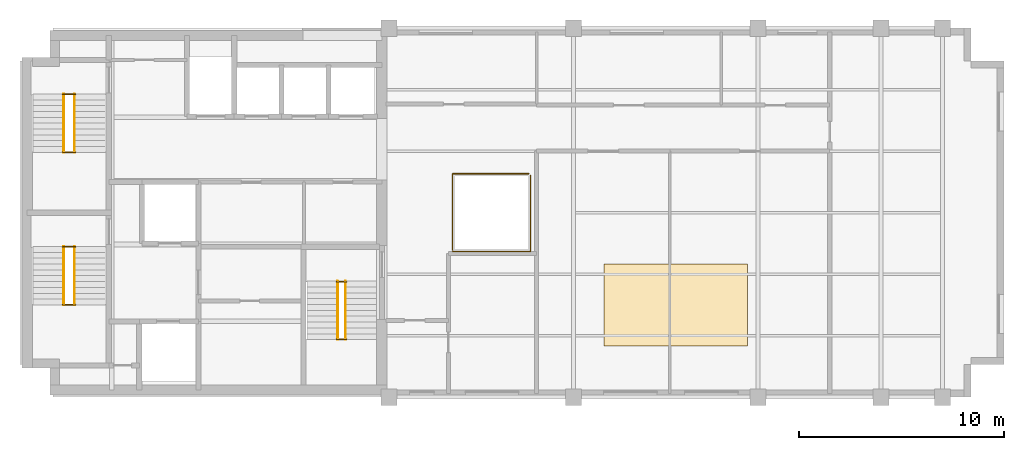
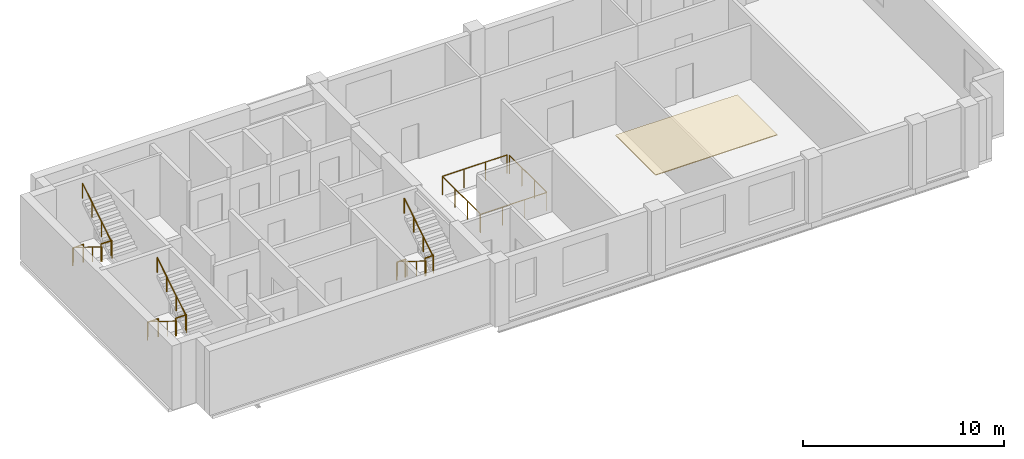
# One storey, part 5 of 5: 14 railings, 1 covering.
"""IFC4 building model written with IfcOpenShell, lengths in metres."""

from ifc_helpers import new_model, si_unit, direction, frame, origin, origin_2d, place, context, subcontext, project, spatial, polyline, circle, outline, extrude, material, layer, layer_set, type_object, element, save


model = new_model("IFC4")

# Units and contexts
model_context = context("Model", 3, precision=1e-05, world=origin(), true_north=direction((0.0, 1.0)))
body_context = subcontext(model_context, "Body", "Model", "MODEL_VIEW")
ifc_project = project(units=[si_unit("LENGTHUNIT", "METRE"), si_unit("AREAUNIT", "SQUARE_METRE"), si_unit("VOLUMEUNIT", "CUBIC_METRE"), si_unit("PLANEANGLEUNIT", "RADIAN"), si_unit("MASSUNIT", "GRAM", prefix="KILO")], contexts=[model_context])

# Site, building, storey
site_placement = place(None, origin())
site = spatial("IfcSite", under=ifc_project, at=site_placement, CompositionType="ELEMENT")
building_placement = place(site_placement, origin())
building = spatial("IfcBuilding", under=site, at=building_placement, Name="Mawjdan Bourse Tower", CompositionType="ELEMENT")
storey_placement = place(building_placement, frame((0.0, 0.0, 278.10009765625)))
storey = spatial("IfcBuildingStorey", under=building, at=storey_placement, Name="L68", CompositionType="ELEMENT", Elevation=278.10009765625)

# Covering
ifc_material_1 = material(Name="Perforated Mineral-Fibre Acoustic Ceiling")
ifc_layer = layer(ifc_material_1, 0.044921875)
ifc_layer_set = layer_set([ifc_layer], Name="Perforated Mineral-Fibre Acoustic Ceiling")
covering_type = type_object("IfcCoveringType", Name="COV-CLG-AC", PredefinedType="CEILING", material=ifc_layer_set)
covering_placement = place(storey_placement, frame((0.0, 0.0, 3.669921875)))
element("IfcCovering", 1, at=covering_placement, inside=storey, type_object=covering_type, Name="L68 Suspended Acoustic Ceiling", PredefinedType="CEILING", context=body_context, shape_type="SweptSolid", body=[
    extrude(outline(polyline([(34.5, 5.5), (41.5, 5.5), (41.5, 9.5), (34.5, 9.5), (34.5, 5.5)])), origin(), (0.0, 0.0, 1.0), 0.044921875),
])

# Railings
ifc_material_2 = material(Name="Stainless Steel and Laminated Glass", Category="steel")
railing_type_1 = type_object("IfcRailingType", Name="RLG-BAL-1150", PredefinedType="BALUSTRADE", material=ifc_material_2)
railing_1_placement = place(storey_placement, frame((27.10009765625, 10.10009765625, 0.0)))
element("IfcRailing", 2, at=railing_1_placement, inside=storey, type_object=railing_type_1, Name="L68 Summit Atrium Lightwell Balustrade SE", PredefinedType="BALUSTRADE", context=body_context, shape_type="SweptSolid", body=[
    extrude(circle(Radius=0.02685546875, at=origin_2d()), frame((0.0, 0.0, 1.123046875), z_axis=(1.0, 0.0, 0.0), x_axis=(0.0, 1.0, 0.0)), (0.0, 0.0, 1.0), 3.7998046875),
    extrude(circle(Radius=0.02685546875, at=origin_2d()), frame((3.7998046875, 0.0, 1.123046875), z_axis=(0.0, 1.0, 0.0), x_axis=(-1.0, 0.0, 0.0)), (0.0, 0.0, 1.0), 3.719970703125),
    extrude(circle(Radius=0.02294921875, at=origin_2d()), origin(), (0.0, 0.0, 1.0), 1.095947265625),
    extrude(circle(Radius=0.02294921875, at=origin_2d()), frame((1.2666015625, 0.0, 0.0)), (0.0, 0.0, 1.0), 1.095947265625),
    extrude(circle(Radius=0.02294921875, at=origin_2d()), frame((2.533203125, 0.0, 0.0)), (0.0, 0.0, 1.0), 1.095947265625),
    extrude(circle(Radius=0.02294921875, at=origin_2d()), frame((3.7998046875, 0.0, 0.0)), (0.0, 0.0, 1.0), 1.095947265625),
    extrude(circle(Radius=0.02294921875, at=origin_2d()), frame((3.7998046875, 1.239990234375, 0.0)), (0.0, 0.0, 1.0), 1.095947265625),
    extrude(circle(Radius=0.02294921875, at=origin_2d()), frame((3.7998046875, 2.47998046875, 0.0)), (0.0, 0.0, 1.0), 1.095947265625),
    extrude(circle(Radius=0.02294921875, at=origin_2d()), frame((3.7998046875, 3.719970703125, 0.0)), (0.0, 0.0, 1.0), 1.095947265625),
])
railing_2_placement = place(storey_placement, frame((30.820068359375, 13.89990234375, 0.0)))
element("IfcRailing", 3, at=railing_2_placement, inside=storey, type_object=railing_type_1, Name="L68 Summit Atrium Lightwell Balustrade NW", PredefinedType="BALUSTRADE", context=body_context, shape_type="SweptSolid", body=[
    extrude(circle(Radius=0.02685546875, at=origin_2d()), frame((0.0, 0.0, 1.123046875), z_axis=(-1.0, 0.0, 0.0), x_axis=(0.0, -1.0, 0.0)), (0.0, 0.0, 1.0), 3.719970703125),
    extrude(circle(Radius=0.02685546875, at=origin_2d()), frame((-3.719970703125, 0.0, 1.123046875), z_axis=(0.0, -1.0, 0.0), x_axis=(1.0, 0.0, 0.0)), (0.0, 0.0, 1.0), 3.719970703125),
    extrude(circle(Radius=0.02294921875, at=origin_2d()), origin(), (0.0, 0.0, 1.0), 1.095947265625),
    extrude(circle(Radius=0.02294921875, at=origin_2d()), frame((-1.239990234375, 0.0, 0.0)), (0.0, 0.0, 1.0), 1.095947265625),
    extrude(circle(Radius=0.02294921875, at=origin_2d()), frame((-2.47998046875, 0.0, 0.0)), (0.0, 0.0, 1.0), 1.095947265625),
    extrude(circle(Radius=0.02294921875, at=origin_2d()), frame((-3.719970703125, 0.0, 0.0)), (0.0, 0.0, 1.0), 1.095947265625),
    extrude(circle(Radius=0.02294921875, at=origin_2d()), frame((-3.719970703125, -1.239990234375, 0.0)), (0.0, 0.0, 1.0), 1.095947265625),
    extrude(circle(Radius=0.02294921875, at=origin_2d()), frame((-3.719970703125, -2.47998046875, 0.0)), (0.0, 0.0, 1.0), 1.095947265625),
    extrude(circle(Radius=0.02294921875, at=origin_2d()), frame((-3.719970703125, -3.719970703125, 0.0)), (0.0, 0.0, 1.0), 1.095947265625),
])
ifc_material_3 = material(Name="Structural Steel S355", Category="steel")
railing_type_2 = type_object("IfcRailingType", Name="RLG-GRD-1100", PredefinedType="GUARDRAIL", material=ifc_material_3)
for number, where, name in (
    (4, (8.090087890625, 7.52001953125, 1.949951171875), "L68 ST1 Landing Guardrail GL-MID"),
    (5, (8.090087890625, 10.330078125, 0.0), "L68 ST1 Landing Guardrail GL-BOT"),
    (6, (8.090087890625, 14.9599609375, 1.949951171875), "L68 ST2 Landing Guardrail GL-MID"),
    (7, (8.090087890625, 17.77001953125, 0.0), "L68 ST2 Landing Guardrail GL-BOT"),
):
    element("IfcRailing", number, at=place(storey_placement, frame(where)), inside=storey, type_object=railing_type_2, Name=name, PredefinedType="GUARDRAIL", context=body_context, shape_type="SweptSolid", body=[
        extrude(circle(Radius=0.02490234375, at=origin_2d()), frame((0.0, 0.0, 1.0751953125), z_axis=(1.0, 0.0, 0.0), x_axis=(0.0, 1.0, 0.0)), (0.0, 0.0, 1.0), 0.619873046875),
        extrude(circle(Radius=0.02099609375, at=origin_2d()), origin(), (0.0, 0.0, 1.0), 1.050048828125),
        extrude(circle(Radius=0.02099609375, at=origin_2d()), frame((0.619873046875, 0.0, 0.0)), (0.0, 0.0, 1.0), 1.050048828125),
    ])
for number, where, name in (
    (8, (21.43994140625, 5.830078125, 1.949951171875), "L68 ST7 Landing Guardrail GL-MID"),
    (9, (21.43994140625, 8.639892578125, 0.0), "L68 ST7 Landing Guardrail GL-BOT"),
):
    element("IfcRailing", number, at=place(storey_placement, frame(where)), inside=storey, type_object=railing_type_2, Name=name, PredefinedType="GUARDRAIL", context=body_context, shape_type="SweptSolid", body=[
        extrude(circle(Radius=0.02490234375, at=origin_2d()), frame((0.0, 0.0, 1.0751953125), z_axis=(1.0, 0.0, 0.0), x_axis=(0.0, 1.0, 0.0)), (0.0, 0.0, 1.0), 0.489990234375),
        extrude(circle(Radius=0.02099609375, at=origin_2d()), origin(), (0.0, 0.0, 1.0), 1.050048828125),
        extrude(circle(Radius=0.02099609375, at=origin_2d()), frame((0.489990234375, 0.0, 0.0)), (0.0, 0.0, 1.0), 1.050048828125),
    ])
ifc_material_4 = material(Name="Brushed Stainless Steel", Category="steel")
railing_type_3 = type_object("IfcRailingType", Name="RLG-HND-920", PredefinedType="HANDRAIL", material=ifc_material_4)
railing_3_placement = place(storey_placement, frame((8.139892578125, 10.35009765625, 0.17724609375)))
element("IfcRailing", 10, at=railing_3_placement, inside=storey, type_object=railing_type_3, Name="L68 ST1 Flight Handrail HR1", PredefinedType="HANDRAIL", context=body_context, shape_type="SweptSolid", body=[
    extrude(circle(Radius=0.0224609375, at=origin_2d()), frame((0.0, 0.0, 0.8974609375), z_axis=(0.0, -0.849148672731, 0.528153890072), x_axis=(1.0, 0.0, 0.0)), (0.0, 0.0, 1.0), 3.3564453125),
    extrude(circle(Radius=0.01904296875, at=origin_2d()), origin(), (0.0, 0.0, 1.0), 0.875),
    extrude(circle(Radius=0.01904296875, at=origin_2d()), frame((0.0, -0.949951171875, 0.5908203125)), (0.0, 0.0, 1.0), 0.875),
    extrude(circle(Radius=0.01904296875, at=origin_2d()), frame((0.0, -1.900146484375, 1.181884765625)), (0.0, 0.0, 1.0), 0.875),
    extrude(circle(Radius=0.01904296875, at=origin_2d()), frame((0.0, -2.85009765625, 1.772705078125)), (0.0, 0.0, 1.0), 0.875),
])
railing_4_placement = place(storey_placement, frame((8.659912109375, 7.5, 2.127197265625)))
element("IfcRailing", 11, at=railing_4_placement, inside=storey, type_object=railing_type_3, Name="L68 ST1 Flight Handrail HR2", PredefinedType="HANDRAIL", context=body_context, shape_type="SweptSolid", body=[
    extrude(circle(Radius=0.0224609375, at=origin_2d()), frame((0.0, 0.0, 0.8974609375), z_axis=(0.0, 0.849148672731, 0.528153890072), x_axis=(-1.0, 0.0, 0.0)), (0.0, 0.0, 1.0), 3.3564453125),
    extrude(circle(Radius=0.01904296875, at=origin_2d()), origin(), (0.0, 0.0, 1.0), 0.875),
    extrude(circle(Radius=0.01904296875, at=origin_2d()), frame((0.0, 0.949951171875, 0.5908203125)), (0.0, 0.0, 1.0), 0.875),
    extrude(circle(Radius=0.01904296875, at=origin_2d()), frame((0.0, 1.900146484375, 1.181884765625)), (0.0, 0.0, 1.0), 0.875),
    extrude(circle(Radius=0.01904296875, at=origin_2d()), frame((0.0, 2.85009765625, 1.772705078125)), (0.0, 0.0, 1.0), 0.875),
])
railing_5_placement = place(storey_placement, frame((8.139892578125, 17.7900390625, 0.17724609375)))
element("IfcRailing", 12, at=railing_5_placement, inside=storey, type_object=railing_type_3, Name="L68 ST2 Flight Handrail HR1", PredefinedType="HANDRAIL", context=body_context, shape_type="SweptSolid", body=[
    extrude(circle(Radius=0.0224609375, at=origin_2d()), frame((0.0, 0.0, 0.8974609375), z_axis=(0.0, -0.849148672731, 0.528153890072), x_axis=(1.0, 0.0, 0.0)), (0.0, 0.0, 1.0), 3.3564453125),
    extrude(circle(Radius=0.01904296875, at=origin_2d()), origin(), (0.0, 0.0, 1.0), 0.875),
    extrude(circle(Radius=0.01904296875, at=origin_2d()), frame((0.0, -0.949951171875, 0.5908203125)), (0.0, 0.0, 1.0), 0.875),
    extrude(circle(Radius=0.01904296875, at=origin_2d()), frame((0.0, -1.900146484375, 1.181884765625)), (0.0, 0.0, 1.0), 0.875),
    extrude(circle(Radius=0.01904296875, at=origin_2d()), frame((0.0, -2.85009765625, 1.772705078125)), (0.0, 0.0, 1.0), 0.875),
])
railing_6_placement = place(storey_placement, frame((8.659912109375, 14.93994140625, 2.127197265625)))
element("IfcRailing", 13, at=railing_6_placement, inside=storey, type_object=railing_type_3, Name="L68 ST2 Flight Handrail HR2", PredefinedType="HANDRAIL", context=body_context, shape_type="SweptSolid", body=[
    extrude(circle(Radius=0.0224609375, at=origin_2d()), frame((0.0, 0.0, 0.8974609375), z_axis=(0.0, 0.849148672731, 0.528153890072), x_axis=(-1.0, 0.0, 0.0)), (0.0, 0.0, 1.0), 3.3564453125),
    extrude(circle(Radius=0.01904296875, at=origin_2d()), origin(), (0.0, 0.0, 1.0), 0.875),
    extrude(circle(Radius=0.01904296875, at=origin_2d()), frame((0.0, 0.949951171875, 0.5908203125)), (0.0, 0.0, 1.0), 0.875),
    extrude(circle(Radius=0.01904296875, at=origin_2d()), frame((0.0, 1.900146484375, 1.181884765625)), (0.0, 0.0, 1.0), 0.875),
    extrude(circle(Radius=0.01904296875, at=origin_2d()), frame((0.0, 2.85009765625, 1.772705078125)), (0.0, 0.0, 1.0), 0.875),
])
railing_7_placement = place(storey_placement, frame((21.489990234375, 8.659912109375, 0.17724609375)))
element("IfcRailing", 14, at=railing_7_placement, inside=storey, type_object=railing_type_3, Name="L68 ST7 Flight Handrail HR1", PredefinedType="HANDRAIL", context=body_context, shape_type="SweptSolid", body=[
    extrude(circle(Radius=0.0224609375, at=origin_2d()), frame((0.0, 0.0, 0.8974609375), z_axis=(0.0, -0.849128380713, 0.528186513523), x_axis=(1.0, 0.0, 0.0)), (0.0, 0.0, 1.0), 3.356201171875),
    extrude(circle(Radius=0.01904296875, at=origin_2d()), origin(), (0.0, 0.0, 1.0), 0.875),
    extrude(circle(Radius=0.01904296875, at=origin_2d()), frame((0.0, -0.949951171875, 0.5908203125)), (0.0, 0.0, 1.0), 0.875),
    extrude(circle(Radius=0.01904296875, at=origin_2d()), frame((0.0, -1.89990234375, 1.181884765625)), (0.0, 0.0, 1.0), 0.875),
    extrude(circle(Radius=0.01904296875, at=origin_2d()), frame((0.0, -2.849853515625, 1.772705078125)), (0.0, 0.0, 1.0), 0.875),
])
railing_8_placement = place(storey_placement, frame((21.8798828125, 5.81005859375, 2.127197265625)))
element("IfcRailing", 15, at=railing_8_placement, inside=storey, type_object=railing_type_3, Name="L68 ST7 Flight Handrail HR2", PredefinedType="HANDRAIL", context=body_context, shape_type="SweptSolid", body=[
    extrude(circle(Radius=0.0224609375, at=origin_2d()), frame((0.0, 0.0, 0.8974609375), z_axis=(0.0, 0.849128380713, 0.528186513523), x_axis=(-1.0, 0.0, 0.0)), (0.0, 0.0, 1.0), 3.356201171875),
    extrude(circle(Radius=0.01904296875, at=origin_2d()), origin(), (0.0, 0.0, 1.0), 0.875),
    extrude(circle(Radius=0.01904296875, at=origin_2d()), frame((0.0, 0.949951171875, 0.5908203125)), (0.0, 0.0, 1.0), 0.875),
    extrude(circle(Radius=0.01904296875, at=origin_2d()), frame((0.0, 1.89990234375, 1.181884765625)), (0.0, 0.0, 1.0), 0.875),
    extrude(circle(Radius=0.01904296875, at=origin_2d()), frame((0.0, 2.849853515625, 1.772705078125)), (0.0, 0.0, 1.0), 0.875),
])

save(model, "model.ifc")
